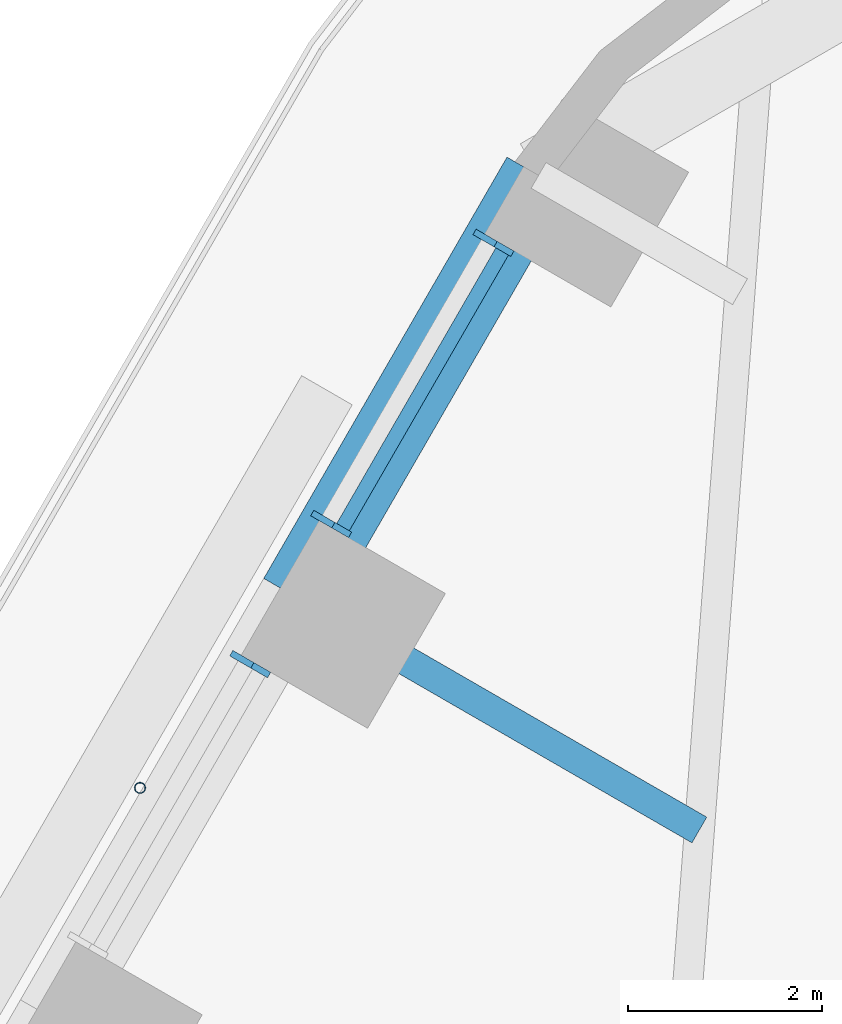
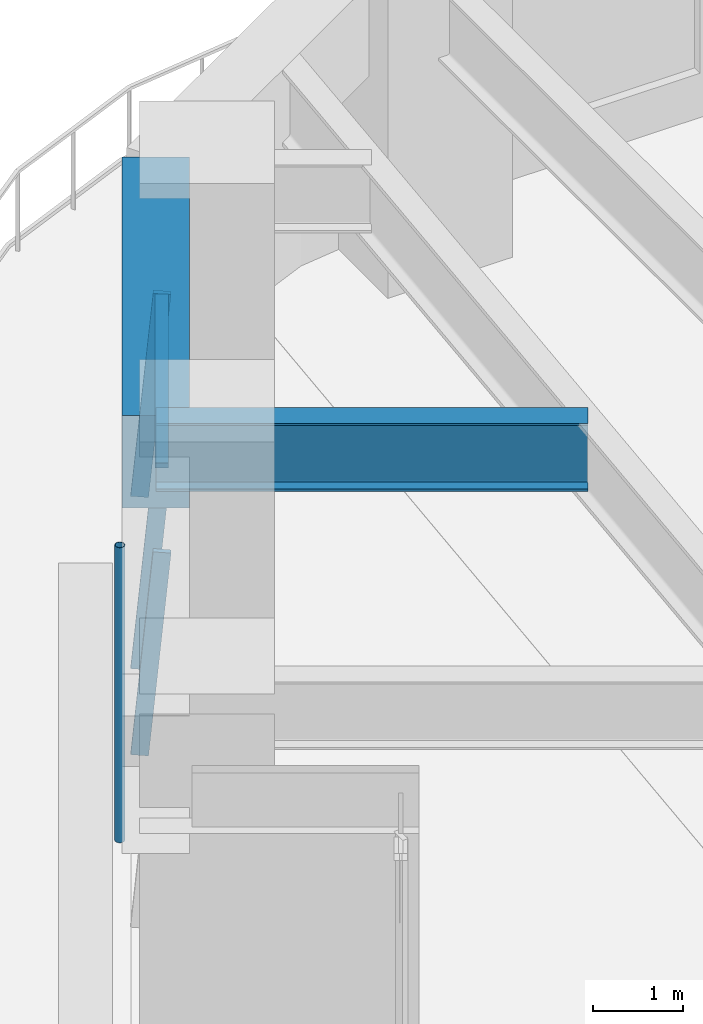
# One storey, part 9 of 24: 5 members, 2 beams, 2 elements without a shape of their own.
"""IFC4 building model written with IfcOpenShell, lengths in metres."""

from ifc_helpers import new_model, si_unit, direction, frame, origin, origin_2d, place, context, subcontext, project, spatial, rectangle, hollow_circle, i_section, extrude, material, material_profile, profile_set, type_object, element, aggregate, save


model = new_model("IFC4")

# Units and contexts
model_context = context("Model", 3, precision=1e-05, world=origin(), true_north=direction((0.0, 1.0)))
body_context = subcontext(model_context, "Body", "Model", "MODEL_VIEW")
ifc_project = project(units=[si_unit("LENGTHUNIT", "METRE"), si_unit("AREAUNIT", "SQUARE_METRE"), si_unit("VOLUMEUNIT", "CUBIC_METRE"), si_unit("PLANEANGLEUNIT", "RADIAN"), si_unit("MASSUNIT", "GRAM", prefix="KILO")], contexts=[model_context])

# Site, building, storey
site_placement = place(None, origin())
site = spatial("IfcSite", under=ifc_project, at=site_placement, CompositionType="ELEMENT")
building_placement = place(site_placement, origin())
building = spatial("IfcBuilding", under=site, at=building_placement, Name="Tarfa Lantern Tower", CompositionType="ELEMENT")
storey_placement = place(building_placement, frame((0.0, 0.0, 153.10009765625)))
storey = spatial("IfcBuildingStorey", under=building, at=storey_placement, Name="L34", CompositionType="ELEMENT", Elevation=153.10009765625)

# Curtain wall, members
ifc_material_1 = material(Name="Aluminium framed curtain wall", Category="aluminium")
curtain_wall_type = type_object("IfcCurtainWallType", Name="CW2 CANTED GLAZING MID ZONE 2750", PredefinedType="USERDEFINED", material=ifc_material_1)
curtain_wall_1_placement = place(storey_placement, origin())
curtain_wall_1 = element("IfcCurtainWall", 1, at=curtain_wall_1_placement, inside=storey, type_object=curtain_wall_type, Name="CW2 NW L34", ObjectType="CURTAIN WALL", PredefinedType="USERDEFINED")
ifc_material_2 = material(Name="Aluminium mullion", Category="aluminium")
ifc_material_profile_1 = material_profile(ifc_material_2, rectangle(XDim=0.06494140625, YDim=0.199951171875, at=origin_2d()), Name="AL MULLION 65x200")
ifc_profile_set_1 = profile_set([ifc_material_profile_1], Name="Aluminium mullion")
member_type_1 = type_object("IfcMemberType", Name="CWM1 MULLION 65x200", PredefinedType="MULLION", material=ifc_profile_set_1)
member_1_placement = place(storey_placement, frame((-20.10400390625, 27.97900390625, 0.0), z_axis=(0.078422950161, -0.045267813396, 0.995891894715), x_axis=(0.499919672301, 0.866071776036, 0.0)))
member_1 = element("IfcMember", 2, at=member_1_placement, type_object=member_type_1, Name="CW2 mullion 1", PredefinedType="MULLION", context=body_context, shape_type="SweptSolid", body=[
    extrude(rectangle(XDim=0.06494140625, YDim=0.199951171875, at=origin_2d()), origin(), (0.0, 0.0, 1.0), 2.76123046875),
])
member_2_placement = place(storey_placement, frame((-21.773193359375, 25.087646484375, 0.0), z_axis=(0.078422950161, -0.045267813396, 0.995891894715), x_axis=(0.499919672301, 0.866071776036, 0.0)))
member_2 = element("IfcMember", 3, at=member_2_placement, type_object=member_type_1, Name="CW2 mullion 2", PredefinedType="MULLION", context=body_context, shape_type="SweptSolid", body=[
    extrude(rectangle(XDim=0.06494140625, YDim=0.199951171875, at=origin_2d()), origin(), (0.0, 0.0, 1.0), 2.76123046875),
])

# Curtain wall, member
curtain_wall_2_placement = place(storey_placement, origin())
curtain_wall_2 = element("IfcCurtainWall", 4, at=curtain_wall_2_placement, inside=storey, type_object=curtain_wall_type, Name="CW2 NW L34", ObjectType="CURTAIN WALL", PredefinedType="USERDEFINED")
member_3_placement = place(storey_placement, frame((-22.605712890625, 23.645751953125, 0.0), z_axis=(0.078422950161, -0.045267813396, 0.995891894715), x_axis=(0.499919672301, 0.866071776036, 0.0)))
member_3 = element("IfcMember", 5, at=member_3_placement, type_object=member_type_1, Name="CW2 mullion 1", PredefinedType="MULLION", context=body_context, shape_type="SweptSolid", body=[
    extrude(rectangle(XDim=0.06494140625, YDim=0.199951171875, at=origin_2d()), origin(), (0.0, 0.0, 1.0), 2.76123046875),
])
aggregate(curtain_wall_2, [member_3])

# Member
ifc_material_3 = material(Name="Aluminium transom", Category="aluminium")
ifc_material_profile_2 = material_profile(ifc_material_3, rectangle(XDim=0.14990234375, YDim=0.06494140625, at=origin_2d()), Name="AL TRANSOM 150x65")
ifc_profile_set_2 = profile_set([ifc_material_profile_2], Name="Aluminium transom")
member_type_2 = type_object("IfcMemberType", Name="CWT1 TRANSOM 150x65", PredefinedType="USERDEFINED", material=ifc_profile_set_2)
member_4_placement = place(storey_placement, frame((-19.90625, 27.827392578125, 2.71728515625), z_axis=(-0.499957005835, -0.866050225054, 0.0), x_axis=(0.866050225054, -0.499957005835, 0.0)))
member_4 = element("IfcMember", 6, at=member_4_placement, type_object=member_type_2, Name="CW2 transom 1.2", ObjectType="TRANSOM", PredefinedType="USERDEFINED", context=body_context, shape_type="SweptSolid", body=[
    extrude(rectangle(XDim=0.14990234375, YDim=0.06494140625, at=origin_2d()), origin(), (0.0, 0.0, 1.0), 3.273681640625),
])

aggregate(curtain_wall_1, [member_1, member_2, member_4])

# Beam
ifc_material_4 = material(Name="Concrete C80/95", Category="concrete")
ifc_material_profile_3 = material_profile(ifc_material_4, rectangle(XDim=0.75, YDim=1.25, at=origin_2d()), Name="RC 750x1250")
ifc_profile_set_3 = profile_set([ifc_material_profile_3], Name="Concrete C80/95")
beam_type_1 = type_object("IfcBeamType", Name="EB2 RC 750x1250", PredefinedType="SPANDREL", material=ifc_profile_set_3)
beam_1_placement = place(storey_placement, frame((-19.53173828125, 28.610107421875, 3.375), z_axis=(-0.500001197378, -0.866024712477, 0.0), x_axis=(0.866024712477, -0.500001197378, 0.0)))
element("IfcBeam", 7, at=beam_1_placement, inside=storey, type_object=beam_type_1, Name="Edge beam NW0", PredefinedType="SPANDREL", context=body_context, shape_type="SweptSolid", body=[
    extrude(rectangle(XDim=0.75, YDim=1.25, at=origin_2d()), origin(), (0.0, 0.0, 1.0), 5.00390625),
])

# Member
ifc_material_5 = material(Name="Steel S355", Category="steel")
ifc_material_profile_4 = material_profile(ifc_material_5, hollow_circle(Radius=0.05712890625, WallThickness=0.00634765625, at=origin_2d()), Name="CHS114.3x6.3")
ifc_profile_set_4 = profile_set([ifc_material_profile_4], Name="Steel S355")
member_type_3 = type_object("IfcMemberType", Name="TR1 GREEN WALL TRELLIS CHS114.3x6.3", PredefinedType="USERDEFINED", material=ifc_profile_set_4)
member_5_placement = place(storey_placement, frame((-23.630859375, 22.31005859375, 0.0), z_axis=(0.0, 0.0, 1.0), x_axis=(1.0, 0.0, 0.0)))
element("IfcMember", 8, at=member_5_placement, inside=storey, type_object=member_type_3, Name="Trellis post NW 1", ObjectType="TRELLIS", PredefinedType="USERDEFINED", context=body_context, shape_type="SweptSolid", body=[
    extrude(hollow_circle(Radius=0.05712890625, WallThickness=0.00634765625, at=origin_2d()), origin(), (0.0, 0.0, 1.0), 4.0),
])

# Beam
ifc_material_6 = material(Name="Steel S460M", Category="steel")
ifc_material_profile_5 = material_profile(ifc_material_6, i_section(OverallWidth=0.305419921875, OverallDepth=0.91845703125, WebThickness=0.017333984375, FlangeThickness=0.02783203125, FilletRadius=0.01904296875, at=origin_2d()), Name="UB914x305x253")
ifc_profile_set_5 = profile_set([ifc_material_profile_5], Name="Steel S460M")
beam_type_2 = type_object("IfcBeamType", Name="UB914x305x253", PredefinedType="BEAM", material=ifc_profile_set_5)
beam_2_placement = place(storey_placement, frame((-22.03369140625, 24.276611328125, 3.540771484375), z_axis=(0.866030550462, -0.499991085587, 0.0), x_axis=(0.499991085587, 0.866030550462, 0.0)))
element("IfcBeam", 9, at=beam_2_placement, inside=storey, type_object=beam_type_2, Name="Floor beam NW1", PredefinedType="BEAM", context=body_context, shape_type="SweptSolid", body=[
    extrude(i_section(OverallWidth=0.305419921875, OverallDepth=0.91845703125, WebThickness=0.017333984375, FlangeThickness=0.02783203125, FilletRadius=0.01904296875, at=origin_2d()), origin(), (0.0, 0.0, 1.0), 4.798828125),
])

save(model, "model.ifc")
